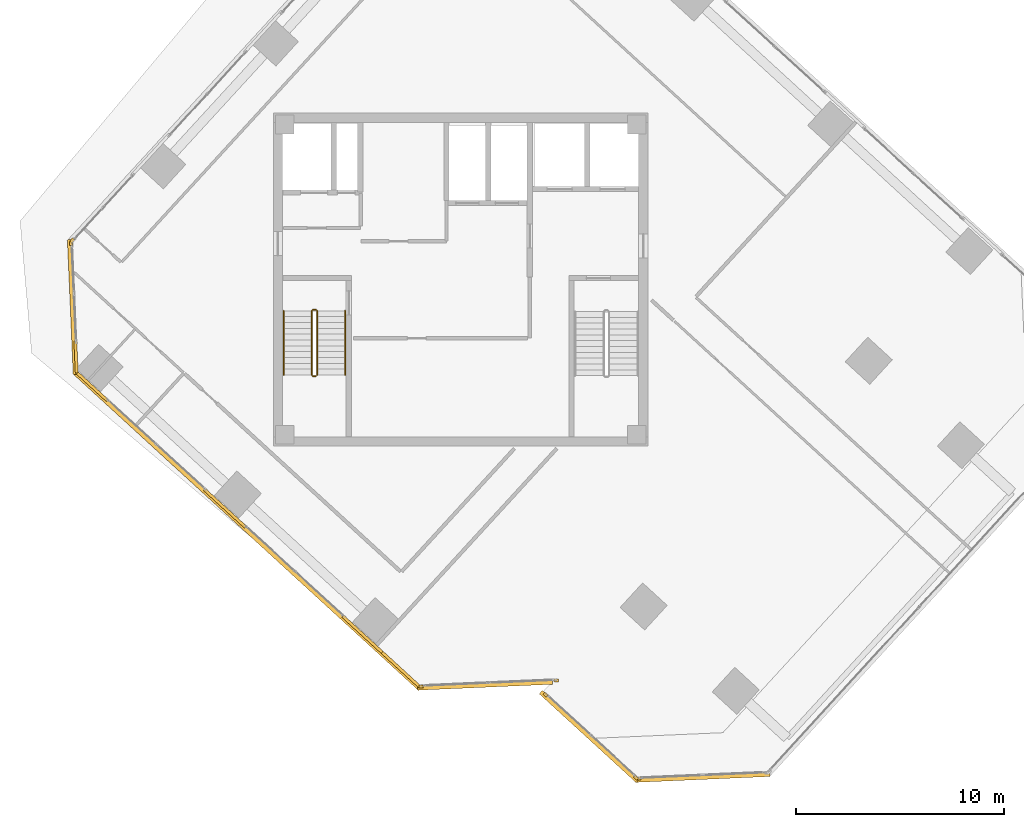
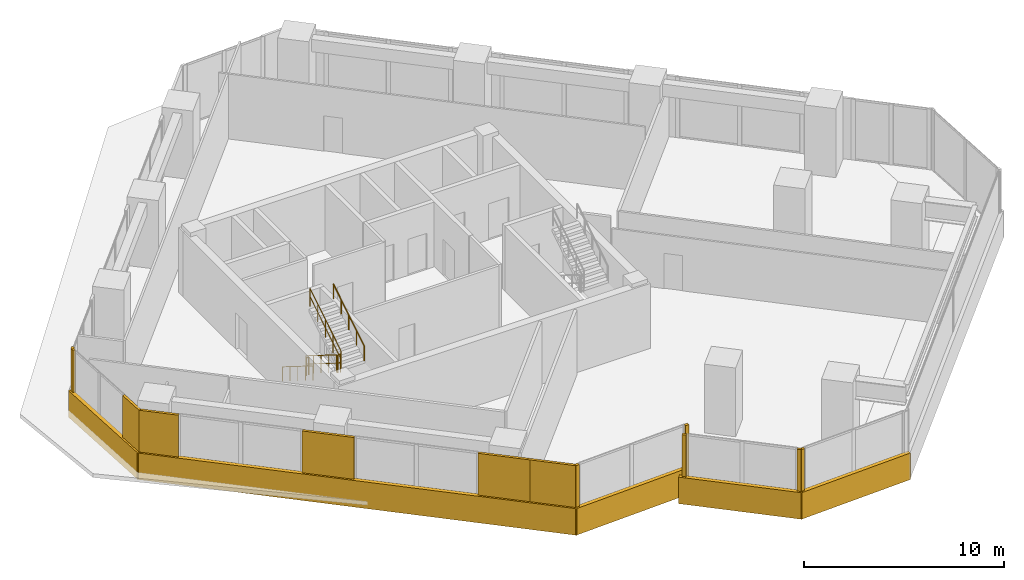
# One storey, part 16 of 19: 17 coverings, 6 railings.
"""IFC4 building model written with IfcOpenShell, lengths in metres."""

from ifc_helpers import new_model, si_unit, direction, frame, origin, origin_2d, place, context, subcontext, project, spatial, rectangle, circle, extrude, source, transform, mapped, material, layer, layer_set, type_object, element, save


model = new_model("IFC4")

# Units and contexts
model_context = context("Model", 3, precision=1e-05, world=origin(), true_north=direction((0.0, 1.0)))
body_context = subcontext(model_context, "Body", "Model", "MODEL_VIEW")
ifc_project = project(units=[si_unit("LENGTHUNIT", "METRE"), si_unit("AREAUNIT", "SQUARE_METRE"), si_unit("VOLUMEUNIT", "CUBIC_METRE"), si_unit("PLANEANGLEUNIT", "RADIAN"), si_unit("MASSUNIT", "GRAM", prefix="KILO")], contexts=[model_context])

# Site, building, storey
site_placement = place(None, origin())
site = spatial("IfcSite", under=ifc_project, at=site_placement, CompositionType="ELEMENT")
building_placement = place(site_placement, origin())
building = spatial("IfcBuilding", under=site, at=building_placement, Name="Torre Montelarca", CompositionType="ELEMENT")
storey_placement = place(building_placement, frame((0.0, 0.0, 229.0)))
storey = spatial("IfcBuildingStorey", under=building, at=storey_placement, Name="L51", CompositionType="ELEMENT", Elevation=229.0)

# Railings
ifc_material_1 = material(Name="Powder-coated steel ASTM A500 Grade C", Category="steel")
railing_type_1 = type_object("IfcRailingType", Name="RL-GUARD-1100", PredefinedType="BALUSTRADE", material=ifc_material_1)
railing_1_placement = place(storey_placement, frame((10.85009765625, 30.5, 0.175048828125)))
element("IfcRailing", 1, at=railing_1_placement, inside=storey, type_object=railing_type_1, Name="L51 ST1 stair guard 1", PredefinedType="BALUSTRADE", context=body_context, shape_type="SweptSolid", body=[
    extrude(circle(Radius=0.02392578125, at=origin_2d()), frame((0.0, 0.0, 1.076171875), z_axis=(0.0, -0.847998304005, 0.529998940003), x_axis=(1.0, 0.0, 0.0)), (0.0, 0.0, 1.0), 3.632080078125),
    extrude(circle(Radius=0.02099609375, at=origin_2d()), frame((0.0, 0.0, 0.572021484375), z_axis=(0.0, -0.847998304005, 0.529998940003), x_axis=(1.0, 0.0, 0.0)), (0.0, 0.0, 1.0), 3.632080078125),
    extrude(circle(Radius=0.02099609375, at=origin_2d()), origin(), (0.0, 0.0, 1.0), 1.052001953125),
    extrude(circle(Radius=0.02099609375, at=origin_2d()), frame((0.0, -0.77001953125, 0.481201171875)), (0.0, 0.0, 1.0), 1.052001953125),
    extrude(circle(Radius=0.02099609375, at=origin_2d()), frame((0.0, -1.5400390625, 0.96240234375)), (0.0, 0.0, 1.0), 1.052001953125),
    extrude(circle(Radius=0.02099609375, at=origin_2d()), frame((0.0, -2.31005859375, 1.44384765625)), (0.0, 0.0, 1.0), 1.052001953125),
    extrude(circle(Radius=0.02099609375, at=origin_2d()), frame((0.0, -3.080078125, 1.925048828125)), (0.0, 0.0, 1.0), 1.052001953125),
])
railing_2_placement = place(storey_placement, frame((10.89990234375, 27.3701171875, 2.10009765625)))
element("IfcRailing", 2, at=railing_2_placement, inside=storey, type_object=railing_type_1, Name="L51 ST1 stair guard 2", PredefinedType="BALUSTRADE", context=body_context, shape_type="SweptSolid", body=[
    extrude(circle(Radius=0.02392578125, at=origin_2d()), frame((0.0, 0.0, 1.076171875), z_axis=(1.0, 0.0, 0.0), x_axis=(0.0, 1.0, 0.0)), (0.0, 0.0, 1.0), 0.150146484375),
    extrude(circle(Radius=0.02099609375, at=origin_2d()), frame((0.0, 0.0, 0.572021484375), z_axis=(1.0, 0.0, 0.0), x_axis=(0.0, 1.0, 0.0)), (0.0, 0.0, 1.0), 0.150146484375),
    extrude(circle(Radius=0.02099609375, at=origin_2d()), origin(), (0.0, 0.0, 1.0), 1.052001953125),
    extrude(circle(Radius=0.02099609375, at=origin_2d()), frame((0.150146484375, 0.0, 0.0)), (0.0, 0.0, 1.0), 1.052001953125),
])
railing_3_placement = place(storey_placement, frame((11.10009765625, 27.419921875, 2.27490234375)))
element("IfcRailing", 3, at=railing_3_placement, inside=storey, type_object=railing_type_1, Name="L51 ST1 stair guard 3", PredefinedType="BALUSTRADE", context=body_context, shape_type="SweptSolid", body=[
    extrude(circle(Radius=0.02392578125, at=origin_2d()), frame((0.0, 0.0, 1.076171875), z_axis=(0.0, 0.847998304005, 0.529998940003), x_axis=(-1.0, 0.0, 0.0)), (0.0, 0.0, 1.0), 3.632080078125),
    extrude(circle(Radius=0.02099609375, at=origin_2d()), frame((0.0, 0.0, 0.572021484375), z_axis=(0.0, 0.847998304005, 0.529998940003), x_axis=(-1.0, 0.0, 0.0)), (0.0, 0.0, 1.0), 3.632080078125),
    extrude(circle(Radius=0.02099609375, at=origin_2d()), origin(), (0.0, 0.0, 1.0), 1.052001953125),
    extrude(circle(Radius=0.02099609375, at=origin_2d()), frame((0.0, 0.77001953125, 0.481201171875)), (0.0, 0.0, 1.0), 1.052001953125),
    extrude(circle(Radius=0.02099609375, at=origin_2d()), frame((0.0, 1.5400390625, 0.96240234375)), (0.0, 0.0, 1.0), 1.052001953125),
    extrude(circle(Radius=0.02099609375, at=origin_2d()), frame((0.0, 2.31005859375, 1.44384765625)), (0.0, 0.0, 1.0), 1.052001953125),
    extrude(circle(Radius=0.02099609375, at=origin_2d()), frame((0.0, 3.080078125, 1.925048828125)), (0.0, 0.0, 1.0), 1.052001953125),
])
railing_4_placement = place(storey_placement, frame((10.89990234375, 30.550048828125, 0.0)))
element("IfcRailing", 4, at=railing_4_placement, inside=storey, type_object=railing_type_1, Name="L51 ST1 stair guard 4", PredefinedType="BALUSTRADE", context=body_context, shape_type="SweptSolid", body=[
    extrude(circle(Radius=0.02392578125, at=origin_2d()), frame((0.0, 0.0, 1.076171875), z_axis=(1.0, 0.0, 0.0), x_axis=(0.0, 1.0, 0.0)), (0.0, 0.0, 1.0), 0.150146484375),
    extrude(circle(Radius=0.02099609375, at=origin_2d()), frame((0.0, 0.0, 0.572021484375), z_axis=(1.0, 0.0, 0.0), x_axis=(0.0, 1.0, 0.0)), (0.0, 0.0, 1.0), 0.150146484375),
    extrude(circle(Radius=0.02099609375, at=origin_2d()), origin(), (0.0, 0.0, 1.0), 1.052001953125),
    extrude(circle(Radius=0.02099609375, at=origin_2d()), frame((0.150146484375, 0.0, 0.0)), (0.0, 0.0, 1.0), 1.052001953125),
])
ifc_material_2 = material(Name="Brushed stainless steel AISI 316", Category="steel")
railing_type_2 = type_object("IfcRailingType", Name="RL-HANDRAIL-900", PredefinedType="HANDRAIL", material=ifc_material_2)
railing_5_placement = place(storey_placement, frame((9.5, 30.5, 0.175048828125)))
element("IfcRailing", 5, at=railing_5_placement, inside=storey, type_object=railing_type_2, Name="L51 ST1 stair handrail 1", PredefinedType="HANDRAIL", context=body_context, shape_type="SweptSolid", body=[
    extrude(circle(Radius=0.02392578125, at=origin_2d()), frame((0.0, 0.0, 0.8759765625), z_axis=(0.0, -0.847998304005, 0.529998940003), x_axis=(1.0, 0.0, 0.0)), (0.0, 0.0, 1.0), 3.632080078125),
    extrude(circle(Radius=0.02099609375, at=origin_2d()), origin(), (0.0, 0.0, 1.0), 0.851806640625),
    extrude(circle(Radius=0.02099609375, at=origin_2d()), frame((0.0, -0.77001953125, 0.481201171875)), (0.0, 0.0, 1.0), 0.851806640625),
    extrude(circle(Radius=0.02099609375, at=origin_2d()), frame((0.0, -1.5400390625, 0.96240234375)), (0.0, 0.0, 1.0), 0.851806640625),
    extrude(circle(Radius=0.02099609375, at=origin_2d()), frame((0.0, -2.31005859375, 1.44384765625)), (0.0, 0.0, 1.0), 0.851806640625),
    extrude(circle(Radius=0.02099609375, at=origin_2d()), frame((0.0, -3.080078125, 1.925048828125)), (0.0, 0.0, 1.0), 0.851806640625),
])
railing_6_placement = place(storey_placement, frame((12.449951171875, 27.419921875, 2.27490234375)))
element("IfcRailing", 6, at=railing_6_placement, inside=storey, type_object=railing_type_2, Name="L51 ST1 stair handrail 2", PredefinedType="HANDRAIL", context=body_context, shape_type="SweptSolid", body=[
    extrude(circle(Radius=0.02392578125, at=origin_2d()), frame((0.0, 0.0, 0.8759765625), z_axis=(0.0, 0.847998304005, 0.529998940003), x_axis=(-1.0, 0.0, 0.0)), (0.0, 0.0, 1.0), 3.632080078125),
    extrude(circle(Radius=0.02099609375, at=origin_2d()), origin(), (0.0, 0.0, 1.0), 0.851806640625),
    extrude(circle(Radius=0.02099609375, at=origin_2d()), frame((0.0, 0.77001953125, 0.481201171875)), (0.0, 0.0, 1.0), 0.851806640625),
    extrude(circle(Radius=0.02099609375, at=origin_2d()), frame((0.0, 1.5400390625, 0.96240234375)), (0.0, 0.0, 1.0), 0.851806640625),
    extrude(circle(Radius=0.02099609375, at=origin_2d()), frame((0.0, 2.31005859375, 1.44384765625)), (0.0, 0.0, 1.0), 0.851806640625),
    extrude(circle(Radius=0.02099609375, at=origin_2d()), frame((0.0, 3.080078125, 1.925048828125)), (0.0, 0.0, 1.0), 0.851806640625),
])

# Coverings
ifc_material_3 = material(Name="Bush-hammered warm white precast concrete C45/55", Category="concrete")
ifc_layer = layer(ifc_material_3, 0.139892578125, Name="Bush-hammered warm white precast concrete C45/55", Category="concrete")
ifc_layer_set = layer_set([ifc_layer], Name="Bush-hammered warm white precast concrete C45/55")
covering_type = type_object("IfcCoveringType", Name="COV-TRAY-CLAD", PredefinedType="CLADDING", material=ifc_layer_set)
shared_shape_1 = source(origin(), body_context, "Body", "SweptSolid", [
    extrude(rectangle(XDim=6.48388671875, YDim=0.219970703125, at=origin_2d()), origin(), (0.0, 0.0, 1.0), 1.6201171875),
])
for number, where, z_axis, x_axis, name in (
    (7, (19.164794921875, 12.534912109375, -0.449951171875), (0.0, 0.0, 1.0), (0.99904814545, 0.043621131033, 0.0), "L51 Architectural White Spandrel Tray Band TRYBOT-02"),
    (8, (29.620849609375, 8.10791015625, -0.449951171875), (0.0, 0.0, 1.0), (0.99904814545, 0.043621131033, 0.0), "L51 Architectural White Spandrel Tray Band TRYBOT-05"),
    (9, (-0.63671875, 30.6796875, -0.449951171875), (0.0, 0.0, 1.0), (0.043621131033, -0.99904814545, 0.0), "L51 Architectural White Spandrel Tray Band TRYBOT-11"),
):
    element("IfcCovering", number, at=place(storey_placement, frame(where, z_axis=z_axis, x_axis=x_axis)), inside=storey, type_object=covering_type, Name=name, PredefinedType="CLADDING", context=body_context, shape_type="MappedRepresentation", body=[
        mapped(shared_shape_1, transform((0.0, 0.0, 0.0), scale=1.0)),
    ])
shared_shape_2 = source(origin(), body_context, "Body", "SweptSolid", [
    extrude(rectangle(XDim=0.199951171875, YDim=0.139892578125, at=origin_2d()), origin(), (0.0, 0.0, 1.0), 3.719970703125),
])
for number, where, z_axis, x_axis, name in (
    (10, (16.09912109375, 12.4609375, 0.0), (0.0, 0.0, 1.0), (0.999047460128, 0.04363682404, 0.0), "L51 Architectural Column Pier Cladding E02-1"),
    (11, (22.5927734375, 12.74462890625, 0.0), (0.0, 0.0, 1.0), (0.999047460128, 0.04363682404, 0.0), "L51 Architectural Column Pier Cladding E02-2"),
    (12, (22.074462890625, 12.064208984375, 0.0), (0.0, 0.0, 1.0), (0.737282053302, -0.675585060432, 0.0), "L51 Architectural Column Pier Cladding E04-1"),
    (13, (26.418701171875, 8.08349609375, 0.0), (0.0, 0.0, 1.0), (0.737282053302, -0.675585060432, 0.0), "L51 Architectural Column Pier Cladding E04-2"),
    (14, (26.55517578125, 8.033935546875, 0.0), (0.0, 0.0, 1.0), (0.999047840893, 0.043628105704, 0.0), "L51 Architectural Column Pier Cladding E05-1"),
    (15, (-0.660888671875, 33.8818359375, 0.0), (0.0, 0.0, 1.0), (-0.675588920823, -0.737278515936, 0.0), "L51 Architectural Column Pier Cladding E10-5"),
    (16, (-0.71044921875, 33.745361328125, 0.0), (0.0, 0.0, 1.0), (0.043628105704, -0.999047840893, 0.0), "L51 Architectural Column Pier Cladding E11-1"),
):
    element("IfcCovering", number, at=place(storey_placement, frame(where, z_axis=z_axis, x_axis=x_axis)), inside=storey, type_object=covering_type, Name=name, PredefinedType="CLADDING", context=body_context, shape_type="MappedRepresentation", body=[
        mapped(shared_shape_2, transform((0.0, 0.0, 0.0), scale=1.0)),
    ])
shared_shape_3 = source(origin(), body_context, "Body", "SweptSolid", [
    extrude(rectangle(XDim=2.01416015625, YDim=0.139892578125, at=origin_2d()), origin(), (0.0, 0.0, 1.0), 3.719970703125),
])
covering_1_placement = place(storey_placement, frame((0.287109375, 26.87451171875, 0.0), z_axis=(0.0, 0.0, 1.0), x_axis=(0.73727733681, -0.675590207616, 0.0)))
element("IfcCovering", 17, at=covering_1_placement, inside=storey, type_object=covering_type, Name="L51 Architectural Column Pier Cladding E01-1", PredefinedType="CLADDING", context=body_context, shape_type="MappedRepresentation", body=[
    mapped(shared_shape_3, transform((0.0, 0.0, 0.0), scale=1.0)),
])
shared_shape_4 = source(origin(), body_context, "Body", "SweptSolid", [
    extrude(rectangle(XDim=2.659912109375, YDim=0.139892578125, at=origin_2d()), origin(), (0.0, 0.0, 1.0), 3.719970703125),
])
for number, where, z_axis, x_axis, name in (
    (18, (6.6845703125, 21.012451171875, 0.0), (0.0, 0.0, 1.0), (0.73727733681, -0.675590207616, 0.0), "L51 Architectural Column Pier Cladding E01-2"),
    (19, (13.320068359375, 14.93212890625, 0.0), (0.0, 0.0, 1.0), (0.73727733681, -0.675590207616, 0.0), "L51 Architectural Column Pier Cladding E01-3"),
):
    element("IfcCovering", number, at=place(storey_placement, frame(where, z_axis=z_axis, x_axis=x_axis)), inside=storey, type_object=covering_type, Name=name, PredefinedType="CLADDING", context=body_context, shape_type="MappedRepresentation", body=[
        mapped(shared_shape_4, transform((0.0, 0.0, 0.0), scale=1.0)),
    ])
shared_shape_5 = source(origin(), body_context, "Body", "SweptSolid", [
    extrude(rectangle(XDim=2.4541015625, YDim=0.139892578125, at=origin_2d()), origin(), (0.0, 0.0, 1.0), 3.719970703125),
])
covering_2_placement = place(storey_placement, frame((15.131591796875, 13.272216796875, 0.0), z_axis=(0.0, 0.0, 1.0), x_axis=(0.73727733681, -0.675590207616, 0.0)))
element("IfcCovering", 20, at=covering_2_placement, inside=storey, type_object=covering_type, Name="L51 Architectural Column Pier Cladding E01-4", PredefinedType="CLADDING", context=body_context, shape_type="MappedRepresentation", body=[
    mapped(shared_shape_5, transform((0.0, 0.0, 0.0), scale=1.0)),
])
shared_shape_6 = source(origin(), body_context, "Body", "SweptSolid", [
    extrude(rectangle(XDim=1.5263671875, YDim=0.139892578125, at=origin_2d()), origin(), (0.0, 0.0, 1.0), 3.719970703125),
])
covering_3_placement = place(storey_placement, frame((-0.471923828125, 28.281494140625, 0.0), z_axis=(0.0, 0.0, 1.0), x_axis=(0.043628105704, -0.999047840893, 0.0)))
element("IfcCovering", 21, at=covering_3_placement, inside=storey, type_object=covering_type, Name="L51 Architectural Column Pier Cladding E11-2", PredefinedType="CLADDING", context=body_context, shape_type="MappedRepresentation", body=[
    mapped(shared_shape_6, transform((0.0, 0.0, 0.0), scale=1.0)),
])
shared_shape_7 = source(origin(), body_context, "Body", "SweptSolid", [
    extrude(rectangle(XDim=22.52001953125, YDim=0.219970703125, at=origin_2d()), origin(), (0.0, 0.0, 1.0), 1.6201171875),
])
covering_4_placement = place(storey_placement, frame((7.75, 19.954833984375, -0.449951171875), z_axis=(0.0, 0.0, 1.0), x_axis=(0.73727733681, -0.675590207616, 0.0)))
element("IfcCovering", 22, at=covering_4_placement, inside=storey, type_object=covering_type, Name="L51 Architectural White Spandrel Tray Band TRYBOT-01", PredefinedType="CLADDING", context=body_context, shape_type="MappedRepresentation", body=[
    mapped(shared_shape_7, transform((0.0, 0.0, 0.0), scale=1.0)),
])
shared_shape_8 = source(origin(), body_context, "Body", "SweptSolid", [
    extrude(rectangle(XDim=6.31982421875, YDim=0.219970703125, at=origin_2d()), origin(), (0.0, 0.0, 1.0), 1.6201171875),
])
covering_5_placement = place(storey_placement, frame((24.177978515625, 10.055419921875, -0.449951171875), z_axis=(0.0, 0.0, 1.0), x_axis=(0.737280874182, -0.675586347231, 0.0)))
element("IfcCovering", 23, at=covering_5_placement, inside=storey, type_object=covering_type, Name="L51 Architectural White Spandrel Tray Band TRYBOT-04", PredefinedType="CLADDING", context=body_context, shape_type="MappedRepresentation", body=[
    mapped(shared_shape_8, transform((0.0, 0.0, 0.0), scale=1.0)),
])

save(model, "model.ifc")
